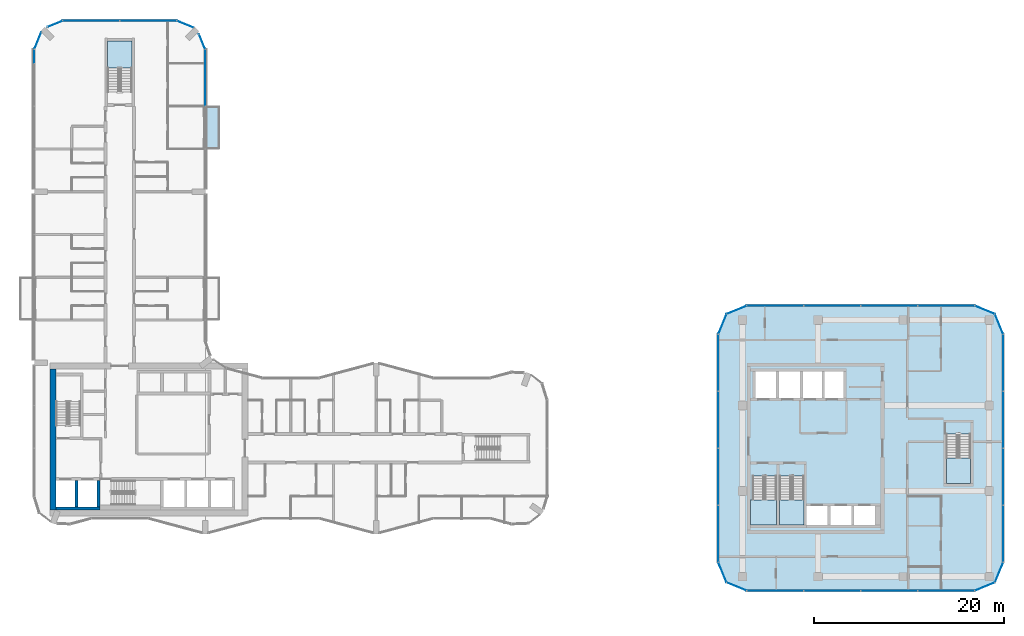
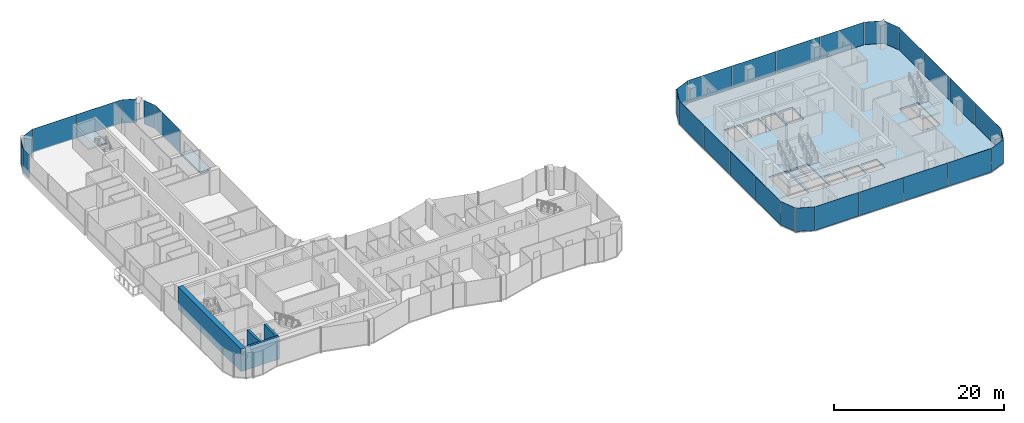
# One storey, part 12 of 22: 32 plates, 6 slabs, 4 walls, 23 elements without a shape of their own.
"""IFC4 building model written with IfcOpenShell, lengths in metres."""

from ifc_helpers import new_model, si_unit, direction, frame, frame_2d, origin, origin_2d, place, context, subcontext, project, spatial, polyline, rectangle, outline, extrude, material, layer, layer_set, type_object, element, aggregate, save


model = new_model("IFC4")

# Units and contexts
model_context = context("Model", 3, precision=1e-05, world=origin(), true_north=direction((0.0, 1.0)))
body_context = subcontext(model_context, "Body", "Model", "MODEL_VIEW")
ifc_project = project(units=[si_unit("LENGTHUNIT", "METRE"), si_unit("AREAUNIT", "SQUARE_METRE"), si_unit("VOLUMEUNIT", "CUBIC_METRE"), si_unit("PLANEANGLEUNIT", "RADIAN"), si_unit("MASSUNIT", "GRAM", prefix="KILO")], contexts=[model_context])

# Site, building, storey
site_placement = place(None, origin())
site = spatial("IfcSite", under=ifc_project, at=site_placement, CompositionType="ELEMENT")
building_placement = place(site_placement, origin())
building = spatial("IfcBuilding", under=site, at=building_placement, Name="Plateau Cross Towers", CompositionType="ELEMENT")
storey_placement = place(building_placement, frame((0.0, 0.0, 102.800048828125)))
storey = spatial("IfcBuildingStorey", under=building, at=storey_placement, Name="L26", CompositionType="ELEMENT", Elevation=102.800048828125)

# Slab
ifc_material_1 = material(Name="Concrete C40/50", Category="concrete")
ifc_layer_1 = layer(ifc_material_1, 0.25)
ifc_layer_set_1 = layer_set([ifc_layer_1], Name="Concrete C40/50")
slab_type_1 = type_object("IfcSlabType", Name="Balcony slab 250", PredefinedType="FLOOR", material=ifc_layer_set_1)
slab_1_placement = place(storey_placement, frame((0.0, 0.0, -0.25)))
element("IfcSlab", 1, at=slab_1_placement, inside=storey, type_object=slab_type_1, Name="Balcony slab A-BAL-L26-03", PredefinedType="FLOOR", context=body_context, shape_type="SweptSolid", body=[
    extrude(outline(polyline([(19.5, 40.5), (19.5, 45.0), (18.0, 45.0), (18.0, 40.5), (19.5, 40.5)])), origin(), (0.0, 0.0, 1.0), 0.25),
])

# Curtain wall, plates
ifc_material_2 = material(Name="Dark low-iron glass", Category="glass")
ifc_layer_2 = layer(ifc_material_2, 0.239990234375)
ifc_layer_set_2 = layer_set([ifc_layer_2], Name="Dark low-iron glass")
curtain_wall_type_1 = type_object("IfcCurtainWallType", Name="Curtain wall office unitised CW-F", PredefinedType="NOTDEFINED", material=ifc_layer_set_2)
curtain_wall_1_placement = place(storey_placement, origin())
curtain_wall_1 = element("IfcCurtainWall", 2, at=curtain_wall_1_placement, inside=storey, type_object=curtain_wall_type_1, Name="ENV/B/L26/B750_-60", PredefinedType="NOTDEFINED")
ifc_layer_3 = layer(ifc_material_2, 0.028076171875)
ifc_layer_set_3 = layer_set([ifc_layer_3], Name="Dark low-iron glass")
plate_type_1 = type_object("IfcPlateType", Name="Glass panel 28 office unitised", PredefinedType="CURTAIN_PANEL", material=ifc_layer_set_3)
plate_1_placement = place(storey_placement, frame((78.0, -6.0, -0.1298828125), z_axis=(0.0, 0.0, 1.0), x_axis=(1.0, 0.0, 0.0)))
plate_1 = element("IfcPlate", 3, at=plate_1_placement, type_object=plate_type_1, Name="CW-F panel 1", PredefinedType="CURTAIN_PANEL", context=body_context, shape_type="SweptSolid", body=[
    extrude(rectangle(XDim=5.93994140625, YDim=0.028076171875, at=origin_2d()), origin(), (0.0, 0.0, 1.0), 3.3798828125),
])
plate_2_placement = place(storey_placement, frame((84.0, -6.0, -0.1298828125), z_axis=(0.0, 0.0, 1.0), x_axis=(1.0, 0.0, 0.0)))
plate_2 = element("IfcPlate", 4, at=plate_2_placement, type_object=plate_type_1, Name="CW-F panel 2", PredefinedType="CURTAIN_PANEL", context=body_context, shape_type="SweptSolid", body=[
    extrude(rectangle(XDim=5.93994140625, YDim=0.028076171875, at=origin_2d()), origin(), (0.0, 0.0, 1.0), 3.3798828125),
])
plate_3_placement = place(storey_placement, frame((90.0, -6.0, -0.1298828125), z_axis=(0.0, 0.0, 1.0), x_axis=(1.0, 0.0, 0.0)))
plate_3 = element("IfcPlate", 5, at=plate_3_placement, type_object=plate_type_1, Name="CW-F panel 3", PredefinedType="CURTAIN_PANEL", context=body_context, shape_type="SweptSolid", body=[
    extrude(rectangle(XDim=5.93994140625, YDim=0.028076171875, at=origin_2d()), origin(), (0.0, 0.0, 1.0), 3.3798828125),
])
plate_4_placement = place(storey_placement, frame((96.0, -6.0, -0.1298828125), z_axis=(0.0, 0.0, 1.0), x_axis=(1.0, 0.0, 0.0)))
plate_4 = element("IfcPlate", 6, at=plate_4_placement, type_object=plate_type_1, Name="CW-F panel 4", PredefinedType="CURTAIN_PANEL", context=body_context, shape_type="SweptSolid", body=[
    extrude(rectangle(XDim=5.93994140625, YDim=0.028076171875, at=origin_2d()), origin(), (0.0, 0.0, 1.0), 3.3798828125),
])
aggregate(curtain_wall_1, [plate_1, plate_2, plate_3, plate_4])

# Curtain wall, plate
curtain_wall_2_placement = place(storey_placement, origin())
curtain_wall_2 = element("IfcCurtainWall", 7, at=curtain_wall_2_placement, inside=storey, type_object=curtain_wall_type_1, Name="ENV/B/L26/B990_-60", PredefinedType="NOTDEFINED")
plate_5_placement = place(storey_placement, frame((100.060546875, -5.560546875, -0.1298828125), z_axis=(0.0, 0.0, 1.0), x_axis=(0.923879457699, 0.382683612978, 0.0)))
plate_5 = element("IfcPlate", 8, at=plate_5_placement, type_object=plate_type_1, Name="CW-F panel 1", PredefinedType="CURTAIN_PANEL", context=body_context, shape_type="SweptSolid", body=[
    extrude(rectangle(XDim=2.236083984375, YDim=0.028076171875, at=origin_2d()), origin(), (0.0, 0.0, 1.0), 3.3798828125),
])
aggregate(curtain_wall_2, [plate_5])

curtain_wall_3_placement = place(storey_placement, origin())
curtain_wall_3 = element("IfcCurtainWall", 9, at=curtain_wall_3_placement, inside=storey, type_object=curtain_wall_type_1, Name="ENV/B/L26/B1011_-51", PredefinedType="NOTDEFINED")
plate_6_placement = place(storey_placement, frame((101.560546875, -4.060546875, -0.1298828125), z_axis=(0.0, 0.0, 1.0), x_axis=(0.382683612978, 0.923879457699, 0.0)))
plate_6 = element("IfcPlate", 10, at=plate_6_placement, type_object=plate_type_1, Name="CW-F panel 1", PredefinedType="CURTAIN_PANEL", context=body_context, shape_type="SweptSolid", body=[
    extrude(rectangle(XDim=2.236083984375, YDim=0.028076171875, at=origin_2d()), origin(), (0.0, 0.0, 1.0), 3.3798828125),
])
aggregate(curtain_wall_3, [plate_6])

# Curtain wall, plates
curtain_wall_4_placement = place(storey_placement, origin())
curtain_wall_4 = element("IfcCurtainWall", 11, at=curtain_wall_4_placement, inside=storey, type_object=curtain_wall_type_1, Name="ENV/B/L26/B1020_-30", PredefinedType="NOTDEFINED")
plate_7_placement = place(storey_placement, frame((102.0, 0.0, -0.1298828125), z_axis=(0.0, 0.0, 1.0), x_axis=(0.0, 1.0, 0.0)))
plate_7 = element("IfcPlate", 12, at=plate_7_placement, type_object=plate_type_1, Name="CW-F panel 1", PredefinedType="CURTAIN_PANEL", context=body_context, shape_type="SweptSolid", body=[
    extrude(rectangle(XDim=5.93994140625, YDim=0.028076171875, at=origin_2d()), origin(), (0.0, 0.0, 1.0), 3.3798828125),
])
plate_8_placement = place(storey_placement, frame((102.0, 6.0, -0.1298828125), z_axis=(0.0, 0.0, 1.0), x_axis=(0.0, 1.0, 0.0)))
plate_8 = element("IfcPlate", 13, at=plate_8_placement, type_object=plate_type_1, Name="CW-F panel 2", PredefinedType="CURTAIN_PANEL", context=body_context, shape_type="SweptSolid", body=[
    extrude(rectangle(XDim=5.93994140625, YDim=0.028076171875, at=origin_2d()), origin(), (0.0, 0.0, 1.0), 3.3798828125),
])
plate_9_placement = place(storey_placement, frame((102.0, 12.0, -0.1298828125), z_axis=(0.0, 0.0, 1.0), x_axis=(0.0, 1.0, 0.0)))
plate_9 = element("IfcPlate", 14, at=plate_9_placement, type_object=plate_type_1, Name="CW-F panel 3", PredefinedType="CURTAIN_PANEL", context=body_context, shape_type="SweptSolid", body=[
    extrude(rectangle(XDim=5.93994140625, YDim=0.028076171875, at=origin_2d()), origin(), (0.0, 0.0, 1.0), 3.3798828125),
])
plate_10_placement = place(storey_placement, frame((102.0, 18.0, -0.1298828125), z_axis=(0.0, 0.0, 1.0), x_axis=(0.0, 1.0, 0.0)))
plate_10 = element("IfcPlate", 15, at=plate_10_placement, type_object=plate_type_1, Name="CW-F panel 4", PredefinedType="CURTAIN_PANEL", context=body_context, shape_type="SweptSolid", body=[
    extrude(rectangle(XDim=5.93994140625, YDim=0.028076171875, at=origin_2d()), origin(), (0.0, 0.0, 1.0), 3.3798828125),
])
aggregate(curtain_wall_4, [plate_7, plate_8, plate_9, plate_10])

# Curtain wall, plate
curtain_wall_5_placement = place(storey_placement, origin())
curtain_wall_5 = element("IfcCurtainWall", 16, at=curtain_wall_5_placement, inside=storey, type_object=curtain_wall_type_1, Name="ENV/B/L26/B1020_210", PredefinedType="NOTDEFINED")
plate_11_placement = place(storey_placement, frame((101.560546875, 22.060546875, -0.1298828125), z_axis=(0.0, 0.0, 1.0), x_axis=(-0.382683612978, 0.923879457699, 0.0)))
plate_11 = element("IfcPlate", 17, at=plate_11_placement, type_object=plate_type_1, Name="CW-F panel 1", PredefinedType="CURTAIN_PANEL", context=body_context, shape_type="SweptSolid", body=[
    extrude(rectangle(XDim=2.236083984375, YDim=0.028076171875, at=origin_2d()), origin(), (0.0, 0.0, 1.0), 3.3798828125),
])
aggregate(curtain_wall_5, [plate_11])

curtain_wall_6_placement = place(storey_placement, origin())
curtain_wall_6 = element("IfcCurtainWall", 18, at=curtain_wall_6_placement, inside=storey, type_object=curtain_wall_type_1, Name="ENV/B/L26/B1011_231", PredefinedType="NOTDEFINED")
plate_12_placement = place(storey_placement, frame((100.060546875, 23.560546875, -0.1298828125), z_axis=(0.0, 0.0, 1.0), x_axis=(-0.923879457699, 0.382683612978, 0.0)))
plate_12 = element("IfcPlate", 19, at=plate_12_placement, type_object=plate_type_1, Name="CW-F panel 1", PredefinedType="CURTAIN_PANEL", context=body_context, shape_type="SweptSolid", body=[
    extrude(rectangle(XDim=2.236083984375, YDim=0.028076171875, at=origin_2d()), origin(), (0.0, 0.0, 1.0), 3.3798828125),
])
aggregate(curtain_wall_6, [plate_12])

# Curtain wall, plates
curtain_wall_7_placement = place(storey_placement, origin())
curtain_wall_7 = element("IfcCurtainWall", 20, at=curtain_wall_7_placement, inside=storey, type_object=curtain_wall_type_1, Name="ENV/B/L26/B990_240", PredefinedType="NOTDEFINED")
plate_13_placement = place(storey_placement, frame((96.0, 24.0, -0.1298828125), z_axis=(0.0, 0.0, 1.0), x_axis=(-1.0, 0.0, 0.0)))
plate_13 = element("IfcPlate", 21, at=plate_13_placement, type_object=plate_type_1, Name="CW-F panel 1", PredefinedType="CURTAIN_PANEL", context=body_context, shape_type="SweptSolid", body=[
    extrude(rectangle(XDim=5.93994140625, YDim=0.028076171875, at=origin_2d()), origin(), (0.0, 0.0, 1.0), 3.3798828125),
])
plate_14_placement = place(storey_placement, frame((90.0, 24.0, -0.1298828125), z_axis=(0.0, 0.0, 1.0), x_axis=(-1.0, 0.0, 0.0)))
plate_14 = element("IfcPlate", 22, at=plate_14_placement, type_object=plate_type_1, Name="CW-F panel 2", PredefinedType="CURTAIN_PANEL", context=body_context, shape_type="SweptSolid", body=[
    extrude(rectangle(XDim=5.93994140625, YDim=0.028076171875, at=origin_2d()), origin(), (0.0, 0.0, 1.0), 3.3798828125),
])
plate_15_placement = place(storey_placement, frame((84.0, 24.0, -0.1298828125), z_axis=(0.0, 0.0, 1.0), x_axis=(-1.0, 0.0, 0.0)))
plate_15 = element("IfcPlate", 23, at=plate_15_placement, type_object=plate_type_1, Name="CW-F panel 3", PredefinedType="CURTAIN_PANEL", context=body_context, shape_type="SweptSolid", body=[
    extrude(rectangle(XDim=5.93994140625, YDim=0.028076171875, at=origin_2d()), origin(), (0.0, 0.0, 1.0), 3.3798828125),
])
plate_16_placement = place(storey_placement, frame((78.0, 24.0, -0.1298828125), z_axis=(0.0, 0.0, 1.0), x_axis=(-1.0, 0.0, 0.0)))
plate_16 = element("IfcPlate", 24, at=plate_16_placement, type_object=plate_type_1, Name="CW-F panel 4", PredefinedType="CURTAIN_PANEL", context=body_context, shape_type="SweptSolid", body=[
    extrude(rectangle(XDim=5.93994140625, YDim=0.028076171875, at=origin_2d()), origin(), (0.0, 0.0, 1.0), 3.3798828125),
])
aggregate(curtain_wall_7, [plate_13, plate_14, plate_15, plate_16])

# Curtain wall, plate
curtain_wall_8_placement = place(storey_placement, origin())
curtain_wall_8 = element("IfcCurtainWall", 25, at=curtain_wall_8_placement, inside=storey, type_object=curtain_wall_type_1, Name="ENV/B/L26/B750_240", PredefinedType="NOTDEFINED")
plate_17_placement = place(storey_placement, frame((73.939453125, 23.560546875, -0.1298828125), z_axis=(0.0, 0.0, 1.0), x_axis=(-0.923879457699, -0.382683612978, 0.0)))
plate_17 = element("IfcPlate", 26, at=plate_17_placement, type_object=plate_type_1, Name="CW-F panel 1", PredefinedType="CURTAIN_PANEL", context=body_context, shape_type="SweptSolid", body=[
    extrude(rectangle(XDim=2.236083984375, YDim=0.028076171875, at=origin_2d()), origin(), (0.0, 0.0, 1.0), 3.3798828125),
])
aggregate(curtain_wall_8, [plate_17])

curtain_wall_9_placement = place(storey_placement, origin())
curtain_wall_9 = element("IfcCurtainWall", 27, at=curtain_wall_9_placement, inside=storey, type_object=curtain_wall_type_1, Name="ENV/B/L26/B729_231", PredefinedType="NOTDEFINED")
plate_18_placement = place(storey_placement, frame((72.439453125, 22.060546875, -0.1298828125), z_axis=(0.0, 0.0, 1.0), x_axis=(-0.382683612978, -0.923879457699, 0.0)))
plate_18 = element("IfcPlate", 28, at=plate_18_placement, type_object=plate_type_1, Name="CW-F panel 1", PredefinedType="CURTAIN_PANEL", context=body_context, shape_type="SweptSolid", body=[
    extrude(rectangle(XDim=2.236083984375, YDim=0.028076171875, at=origin_2d()), origin(), (0.0, 0.0, 1.0), 3.3798828125),
])
aggregate(curtain_wall_9, [plate_18])

# Curtain wall, plates
curtain_wall_10_placement = place(storey_placement, origin())
curtain_wall_10 = element("IfcCurtainWall", 29, at=curtain_wall_10_placement, inside=storey, type_object=curtain_wall_type_1, Name="ENV/B/L26/B720_210", PredefinedType="NOTDEFINED")
plate_19_placement = place(storey_placement, frame((72.0, 18.0, -0.1298828125), z_axis=(0.0, 0.0, 1.0), x_axis=(0.0, -1.0, 0.0)))
plate_19 = element("IfcPlate", 30, at=plate_19_placement, type_object=plate_type_1, Name="CW-F panel 1", PredefinedType="CURTAIN_PANEL", context=body_context, shape_type="SweptSolid", body=[
    extrude(rectangle(XDim=5.93994140625, YDim=0.028076171875, at=origin_2d()), origin(), (0.0, 0.0, 1.0), 3.3798828125),
])
plate_20_placement = place(storey_placement, frame((72.0, 12.0, -0.1298828125), z_axis=(0.0, 0.0, 1.0), x_axis=(0.0, -1.0, 0.0)))
plate_20 = element("IfcPlate", 31, at=plate_20_placement, type_object=plate_type_1, Name="CW-F panel 2", PredefinedType="CURTAIN_PANEL", context=body_context, shape_type="SweptSolid", body=[
    extrude(rectangle(XDim=5.93994140625, YDim=0.028076171875, at=origin_2d()), origin(), (0.0, 0.0, 1.0), 3.3798828125),
])
plate_21_placement = place(storey_placement, frame((72.0, 6.0, -0.1298828125), z_axis=(0.0, 0.0, 1.0), x_axis=(0.0, -1.0, 0.0)))
plate_21 = element("IfcPlate", 32, at=plate_21_placement, type_object=plate_type_1, Name="CW-F panel 3", PredefinedType="CURTAIN_PANEL", context=body_context, shape_type="SweptSolid", body=[
    extrude(rectangle(XDim=5.93994140625, YDim=0.028076171875, at=origin_2d()), origin(), (0.0, 0.0, 1.0), 3.3798828125),
])
plate_22_placement = place(storey_placement, frame((72.0, 0.0, -0.1298828125), z_axis=(0.0, 0.0, 1.0), x_axis=(0.0, -1.0, 0.0)))
plate_22 = element("IfcPlate", 33, at=plate_22_placement, type_object=plate_type_1, Name="CW-F panel 4", PredefinedType="CURTAIN_PANEL", context=body_context, shape_type="SweptSolid", body=[
    extrude(rectangle(XDim=5.93994140625, YDim=0.028076171875, at=origin_2d()), origin(), (0.0, 0.0, 1.0), 3.3798828125),
])
aggregate(curtain_wall_10, [plate_19, plate_20, plate_21, plate_22])

# Curtain wall, plate
curtain_wall_11_placement = place(storey_placement, origin())
curtain_wall_11 = element("IfcCurtainWall", 34, at=curtain_wall_11_placement, inside=storey, type_object=curtain_wall_type_1, Name="ENV/B/L26/B720_-30", PredefinedType="NOTDEFINED")
plate_23_placement = place(storey_placement, frame((72.439453125, -4.060546875, -0.1298828125), z_axis=(0.0, 0.0, 1.0), x_axis=(0.382683612978, -0.923879457699, 0.0)))
plate_23 = element("IfcPlate", 35, at=plate_23_placement, type_object=plate_type_1, Name="CW-F panel 1", PredefinedType="CURTAIN_PANEL", context=body_context, shape_type="SweptSolid", body=[
    extrude(rectangle(XDim=2.236083984375, YDim=0.028076171875, at=origin_2d()), origin(), (0.0, 0.0, 1.0), 3.3798828125),
])
aggregate(curtain_wall_11, [plate_23])

curtain_wall_12_placement = place(storey_placement, origin())
curtain_wall_12 = element("IfcCurtainWall", 36, at=curtain_wall_12_placement, inside=storey, type_object=curtain_wall_type_1, Name="ENV/B/L26/B729_-51", PredefinedType="NOTDEFINED")
plate_24_placement = place(storey_placement, frame((73.939453125, -5.560546875, -0.1298828125), z_axis=(0.0, 0.0, 1.0), x_axis=(0.923879457699, -0.382683612978, 0.0)))
plate_24 = element("IfcPlate", 37, at=plate_24_placement, type_object=plate_type_1, Name="CW-F panel 1", PredefinedType="CURTAIN_PANEL", context=body_context, shape_type="SweptSolid", body=[
    extrude(rectangle(XDim=2.236083984375, YDim=0.028076171875, at=origin_2d()), origin(), (0.0, 0.0, 1.0), 3.3798828125),
])
aggregate(curtain_wall_12, [plate_24])

ifc_layer_4 = layer(ifc_material_2, 0.239990234375)
ifc_layer_set_4 = layer_set([ifc_layer_4], Name="Dark low-iron glass")
curtain_wall_type_2 = type_object("IfcCurtainWallType", Name="Curtain wall flush unitised CW-B", PredefinedType="NOTDEFINED", material=ifc_layer_set_4)
curtain_wall_13_placement = place(storey_placement, origin())
curtain_wall_13 = element("IfcCurtainWall", 38, at=curtain_wall_13_placement, inside=storey, type_object=curtain_wall_type_2, Name="ENV/A/L26/A180_450", PredefinedType="NOTDEFINED")
ifc_layer_5 = layer(ifc_material_2, 0.031982421875)
ifc_layer_set_5 = layer_set([ifc_layer_5], Name="Dark low-iron glass")
plate_type_2 = type_object("IfcPlateType", Name="Glass panel 32 flush unitised", PredefinedType="CURTAIN_PANEL", material=ifc_layer_set_5)
plate_25_placement = place(storey_placement, frame((18.0, 48.0048828125, -0.1298828125), z_axis=(0.0, 0.0, 1.0), x_axis=(0.0, 1.0, 0.0)))
plate_25 = element("IfcPlate", 39, at=plate_25_placement, type_object=plate_type_2, Name="CW-B panel 1", PredefinedType="CURTAIN_PANEL", context=body_context, shape_type="SweptSolid", body=[
    extrude(rectangle(XDim=5.929931640625, YDim=0.031982421875, at=origin_2d()), origin(), (0.0, 0.0, 1.0), 3.3798828125),
])
aggregate(curtain_wall_13, [plate_25])

curtain_wall_14_placement = place(storey_placement, origin())
curtain_wall_14 = element("IfcCurtainWall", 40, at=curtain_wall_14_placement, inside=storey, type_object=curtain_wall_type_2, Name="ENV/A/L26/A180_510", PredefinedType="NOTDEFINED")
plate_26_placement = place(storey_placement, frame((17.66943359375, 51.79833984375, -0.1298828125), z_axis=(0.0, 0.0, 1.0), x_axis=(-0.382683612978, 0.923879457699, 0.0)))
plate_26 = element("IfcPlate", 41, at=plate_26_placement, type_object=plate_type_2, Name="CW-B panel 1", PredefinedType="CURTAIN_PANEL", context=body_context, shape_type="SweptSolid", body=[
    extrude(rectangle(XDim=1.668212890625, YDim=0.031982421875, at=origin_2d()), origin(), (0.0, 0.0, 1.0), 3.3798828125),
])
aggregate(curtain_wall_14, [plate_26])

curtain_wall_15_placement = place(storey_placement, origin())
curtain_wall_15 = element("IfcCurtainWall", 42, at=curtain_wall_15_placement, inside=storey, type_object=curtain_wall_type_2, Name="ENV/A/L26/A168_533", PredefinedType="NOTDEFINED")
plate_27_placement = place(storey_placement, frame((15.90283203125, 53.6259765625, -0.1298828125), z_axis=(0.0, 0.0, 1.0), x_axis=(-0.923879457699, 0.382683612978, 0.0)))
plate_27 = element("IfcPlate", 43, at=plate_27_placement, type_object=plate_type_2, Name="CW-B panel 1", PredefinedType="CURTAIN_PANEL", context=body_context, shape_type="SweptSolid", body=[
    extrude(rectangle(XDim=1.894775390625, YDim=0.031982421875, at=origin_2d()), origin(), (0.0, 0.0, 1.0), 3.3798828125),
])
aggregate(curtain_wall_15, [plate_27])

# Curtain wall, plates
curtain_wall_16_placement = place(storey_placement, origin())
curtain_wall_16 = element("IfcCurtainWall", 44, at=curtain_wall_16_placement, inside=storey, type_object=curtain_wall_type_2, Name="ENV/A/L26/A150_540", PredefinedType="NOTDEFINED")
plate_28_placement = place(storey_placement, frame((12.0, 54.0, -0.1298828125), z_axis=(0.0, 0.0, 1.0), x_axis=(-1.0, 0.0, 0.0)))
plate_28 = element("IfcPlate", 45, at=plate_28_placement, type_object=plate_type_2, Name="CW-B panel 1", PredefinedType="CURTAIN_PANEL", context=body_context, shape_type="SweptSolid", body=[
    extrude(rectangle(XDim=5.93994140625, YDim=0.031982421875, at=origin_2d()), origin(), (0.0, 0.0, 1.0), 3.3798828125),
])
plate_29_placement = place(storey_placement, frame((6.0, 54.0, -0.1298828125), z_axis=(0.0, 0.0, 1.0), x_axis=(-1.0, 0.0, 0.0)))
plate_29 = element("IfcPlate", 46, at=plate_29_placement, type_object=plate_type_2, Name="CW-B panel 2", PredefinedType="CURTAIN_PANEL", context=body_context, shape_type="SweptSolid", body=[
    extrude(rectangle(XDim=5.93994140625, YDim=0.031982421875, at=origin_2d()), origin(), (0.0, 0.0, 1.0), 3.3798828125),
])
aggregate(curtain_wall_16, [plate_28, plate_29])

# Curtain wall, plate
curtain_wall_17_placement = place(storey_placement, origin())
curtain_wall_17 = element("IfcCurtainWall", 47, at=curtain_wall_17_placement, inside=storey, type_object=curtain_wall_type_2, Name="ENV/A/L26/A30_540", PredefinedType="NOTDEFINED")
plate_30_placement = place(storey_placement, frame((2.20166015625, 53.66943359375, -0.1298828125), z_axis=(0.0, 0.0, 1.0), x_axis=(-0.923879457699, -0.382683612978, 0.0)))
plate_30 = element("IfcPlate", 48, at=plate_30_placement, type_object=plate_type_2, Name="CW-B panel 1", PredefinedType="CURTAIN_PANEL", context=body_context, shape_type="SweptSolid", body=[
    extrude(rectangle(XDim=1.668212890625, YDim=0.031982421875, at=origin_2d()), origin(), (0.0, 0.0, 1.0), 3.3798828125),
])
aggregate(curtain_wall_17, [plate_30])

curtain_wall_18_placement = place(storey_placement, origin())
curtain_wall_18 = element("IfcCurtainWall", 49, at=curtain_wall_18_placement, inside=storey, type_object=curtain_wall_type_2, Name="ENV/A/L26/A7_528", PredefinedType="NOTDEFINED")
plate_31_placement = place(storey_placement, frame((0.3740234375, 51.90283203125, -0.1298828125), z_axis=(0.0, 0.0, 1.0), x_axis=(-0.382683612978, -0.923879457699, 0.0)))
plate_31 = element("IfcPlate", 50, at=plate_31_placement, type_object=plate_type_2, Name="CW-B panel 1", PredefinedType="CURTAIN_PANEL", context=body_context, shape_type="SweptSolid", body=[
    extrude(rectangle(XDim=1.894775390625, YDim=0.031982421875, at=origin_2d()), origin(), (0.0, 0.0, 1.0), 3.3798828125),
])
aggregate(curtain_wall_18, [plate_31])

curtain_wall_19_placement = place(storey_placement, origin())
curtain_wall_19 = element("IfcCurtainWall", 51, at=curtain_wall_19_placement, inside=storey, type_object=curtain_wall_type_2, Name="ENV/A/L26/A0_510", PredefinedType="NOTDEFINED")
plate_32_placement = place(storey_placement, frame((0.0, 50.25, -0.1298828125), z_axis=(0.0, 0.0, 1.0), x_axis=(0.0, -1.0, 0.0)))
plate_32 = element("IfcPlate", 52, at=plate_32_placement, type_object=plate_type_2, Name="CW-B panel 1", PredefinedType="CURTAIN_PANEL", context=body_context, shape_type="SweptSolid", body=[
    extrude(rectangle(XDim=1.43994140625, YDim=0.031982421875, at=origin_2d()), origin(), (0.0, 0.0, 1.0), 3.3798828125),
])
aggregate(curtain_wall_19, [plate_32])

# Slab
ifc_layer_6 = layer(ifc_material_1, 0.25)
ifc_layer_set_6 = layer_set([ifc_layer_6], Name="Concrete C40/50")
slab_type_2 = type_object("IfcSlabType", Name="Post-tensioned flat plate slab 250", PredefinedType="FLOOR", material=ifc_layer_set_6)
slab_2_placement = place(storey_placement, frame((0.0, 0.0, -0.25)))
element("IfcSlab", 53, at=slab_2_placement, inside=storey, type_object=slab_type_2, Name="SL-B-L26", PredefinedType="FLOOR", context=body_context, shape_type="SweptSolid", body=[
    extrude(outline(polyline([(72.878662109375, -5.121337890625), (72.0, -3.0), (72.0, 21.0), (72.878662109375, 23.121337890625), (75.0, 24.0), (99.0, 24.0), (101.121337890625, 23.121337890625), (102.0, 21.0), (102.0, -3.0), (101.121337890625, -5.121337890625), (99.0, -6.0), (75.0, -6.0), (72.878662109375, -5.121337890625)]), holes=[polyline([(75.60009765625, 0.89990234375), (78.14990234375, 0.89990234375), (78.14990234375, 6.10009765625), (75.60009765625, 6.10009765625), (75.60009765625, 0.89990234375)]), polyline([(78.10009765625, 14.300048828125), (78.10009765625, 17.10009765625), (75.89990234375, 17.10009765625), (75.89990234375, 14.300048828125), (78.10009765625, 14.300048828125)]), polyline([(83.5, 0.89990234375), (83.5, 2.89990234375), (81.300048828125, 2.89990234375), (81.300048828125, 0.89990234375), (83.5, 0.89990234375)]), polyline([(86.0, 0.89990234375), (86.0, 2.89990234375), (83.800048828125, 2.89990234375), (83.800048828125, 0.89990234375), (86.0, 0.89990234375)]), polyline([(88.5, 0.89990234375), (88.5, 2.89990234375), (86.300048828125, 2.89990234375), (86.300048828125, 0.89990234375), (88.5, 0.89990234375)]), polyline([(78.449951171875, 0.89990234375), (81.0, 0.89990234375), (81.0, 6.10009765625), (78.449951171875, 6.10009765625), (78.449951171875, 0.89990234375)]), polyline([(96.0, 5.300048828125), (98.550048828125, 5.300048828125), (98.550048828125, 10.5), (96.0, 10.5), (96.0, 5.300048828125)]), polyline([(80.60009765625, 14.300048828125), (80.60009765625, 17.10009765625), (78.39990234375, 17.10009765625), (78.39990234375, 14.300048828125), (80.60009765625, 14.300048828125)]), polyline([(80.89990234375, 14.300048828125), (82.89990234375, 14.300048828125), (82.89990234375, 17.10009765625), (80.89990234375, 17.10009765625), (80.89990234375, 14.300048828125)]), polyline([(83.199951171875, 14.300048828125), (85.199951171875, 14.300048828125), (85.199951171875, 17.10009765625), (83.199951171875, 17.10009765625), (83.199951171875, 14.300048828125)])]), origin(), (0.0, 0.0, 1.0), 0.25),
])

# Stair, slab
stair_type = type_object("IfcStairType", Name="ST-TWR", PredefinedType="HALF_TURN_STAIR", material=ifc_material_1)
stair_1_placement = place(storey_placement, origin())
stair_1 = element("IfcStair", 54, at=stair_1_placement, inside=storey, type_object=stair_type, Name="L26 Protected Exit Stair SB-1", PredefinedType="HALF_TURN_STAIR")
ifc_layer_7 = layer(ifc_material_1, 0.199951171875)
ifc_layer_set_7 = layer_set([ifc_layer_7], Name="Concrete C40/50")
slab_type_3 = type_object("IfcSlabType", Name="SL-LANDING", PredefinedType="LANDING", material=ifc_layer_set_7)
slab_3_placement = place(storey_placement, frame((0.0, 0.0, 1.550048828125)))
slab_3 = element("IfcSlab", 55, at=slab_3_placement, type_object=slab_type_3, Name="SB-1 landing 1", PredefinedType="LANDING", context=body_context, shape_type="SweptSolid", body=[
    extrude(outline(polyline([(75.39990234375, 3.580078125), (75.39990234375, 0.89990234375), (78.14990234375, 0.89990234375), (78.14990234375, 3.580078125), (75.39990234375, 3.580078125)])), origin(), (0.0, 0.0, 1.0), 0.199951171875),
])
aggregate(stair_1, [slab_3])

stair_2_placement = place(storey_placement, origin())
stair_2 = element("IfcStair", 56, at=stair_2_placement, inside=storey, type_object=stair_type, Name="L26 Protected Exit Stair SB-2", PredefinedType="HALF_TURN_STAIR")
slab_4_placement = place(storey_placement, frame((0.0, 0.0, 1.550048828125)))
slab_4 = element("IfcSlab", 57, at=slab_4_placement, type_object=slab_type_3, Name="SB-2 landing 1", PredefinedType="LANDING", context=body_context, shape_type="SweptSolid", body=[
    extrude(outline(polyline([(78.449951171875, 3.580078125), (78.449951171875, 0.89990234375), (81.0, 0.89990234375), (81.0, 3.580078125), (78.449951171875, 3.580078125)])), origin(), (0.0, 0.0, 1.0), 0.199951171875),
])
aggregate(stair_2, [slab_4])

stair_3_placement = place(storey_placement, origin())
stair_3 = element("IfcStair", 58, at=stair_3_placement, inside=storey, type_object=stair_type, Name="L26 Protected Exit Stair SB-3", PredefinedType="HALF_TURN_STAIR")
slab_5_placement = place(storey_placement, frame((0.0, 0.0, 1.550048828125)))
slab_5 = element("IfcSlab", 59, at=slab_5_placement, type_object=slab_type_3, Name="SB-3 landing 1", PredefinedType="LANDING", context=body_context, shape_type="SweptSolid", body=[
    extrude(outline(polyline([(96.0, 7.97998046875), (96.0, 5.300048828125), (98.550048828125, 5.300048828125), (98.550048828125, 7.97998046875), (96.0, 7.97998046875)])), origin(), (0.0, 0.0, 1.0), 0.199951171875),
])
aggregate(stair_3, [slab_5])

stair_4_placement = place(storey_placement, origin())
stair_4 = element("IfcStair", 60, at=stair_4_placement, inside=storey, type_object=stair_type, Name="L26 Protected Exit Stair N", PredefinedType="HALF_TURN_STAIR")
slab_6_placement = place(storey_placement, frame((0.0, 0.0, 1.550048828125)))
slab_6 = element("IfcSlab", 61, at=slab_6_placement, type_object=slab_type_3, Name="ES-N landing 1", PredefinedType="LANDING", context=body_context, shape_type="SweptSolid", body=[
    extrude(outline(polyline([(10.27490234375, 49.02001953125), (10.27490234375, 51.85009765625), (7.72509765625, 51.85009765625), (7.72509765625, 49.02001953125), (10.27490234375, 49.02001953125)])), origin(), (0.0, 0.0, 1.0), 0.199951171875),
])
aggregate(stair_4, [slab_6])

# Walls
ifc_material_3 = material(Name="Concrete C60/75", Category="concrete")
ifc_layer_8 = layer(ifc_material_3, 0.300048828125)
ifc_layer_set_8 = layer_set([ifc_layer_8], Name="Concrete C60/75")
wall_type_1 = type_object("IfcWallType", Name="Core shaft wall 300", PredefinedType="SHEAR", material=ifc_layer_set_8)
wall_1_placement = place(storey_placement, frame((2.300048828125, 2.64990234375, 0.0), z_axis=(0.0, 0.0, 1.0), x_axis=(1.0, 0.0, 0.0)))
element("IfcWall", 62, at=wall_1_placement, inside=storey, type_object=wall_type_1, Name="A-sb-back1@L26", PredefinedType="SHEAR", context=body_context, shape_type="SweptSolid", body=[
    extrude(rectangle(XDim=4.599853515625, YDim=0.300048828125, at=frame_2d((2.2998046875, 0.0))), origin(), (0.0, 0.0, 1.0), 3.25),
])
for number, where, z_axis, x_axis, name in (
    (63, (4.449951171875, 2.800048828125, 0.0), (0.0, 0.0, 1.0), (0.0, 1.0, 0.0), "A-sb-v1@L26"),
    (64, (6.75, 2.800048828125, 0.0), (0.0, 0.0, 1.0), (0.0, 1.0, 0.0), "A-sb-v2@L26"),
):
    element("IfcWall", number, at=place(storey_placement, frame(where, z_axis=z_axis, x_axis=x_axis)), inside=storey, type_object=wall_type_1, Name=name, PredefinedType="SHEAR", context=body_context, shape_type="SweptSolid", body=[
        extrude(rectangle(XDim=2.800048828125, YDim=0.300048828125, at=frame_2d((1.39990234375, 0.0))), origin(), (0.0, 0.0, 1.0), 3.25),
    ])
ifc_layer_9 = layer(ifc_material_3, 0.64990234375)
ifc_layer_set_9 = layer_set([ifc_layer_9], Name="Concrete C60/75")
wall_type_2 = type_object("IfcWallType", Name="Core shell wall 650", PredefinedType="SHEAR", material=ifc_layer_set_9)
wall_2_placement = place(storey_placement, frame((1.97509765625, 2.5, 0.0), z_axis=(0.0, 0.0, 1.0), x_axis=(0.0, 1.0, 0.0)))
element("IfcWall", 65, at=wall_2_placement, inside=storey, type_object=wall_type_2, Name="A-core-W@L26", PredefinedType="SHEAR", context=body_context, shape_type="SweptSolid", body=[
    extrude(rectangle(XDim=14.85009765625, YDim=0.64990234375, at=frame_2d((7.425048828125, 0.0))), origin(), (0.0, 0.0, 1.0), 3.25),
])

save(model, "model.ifc")
